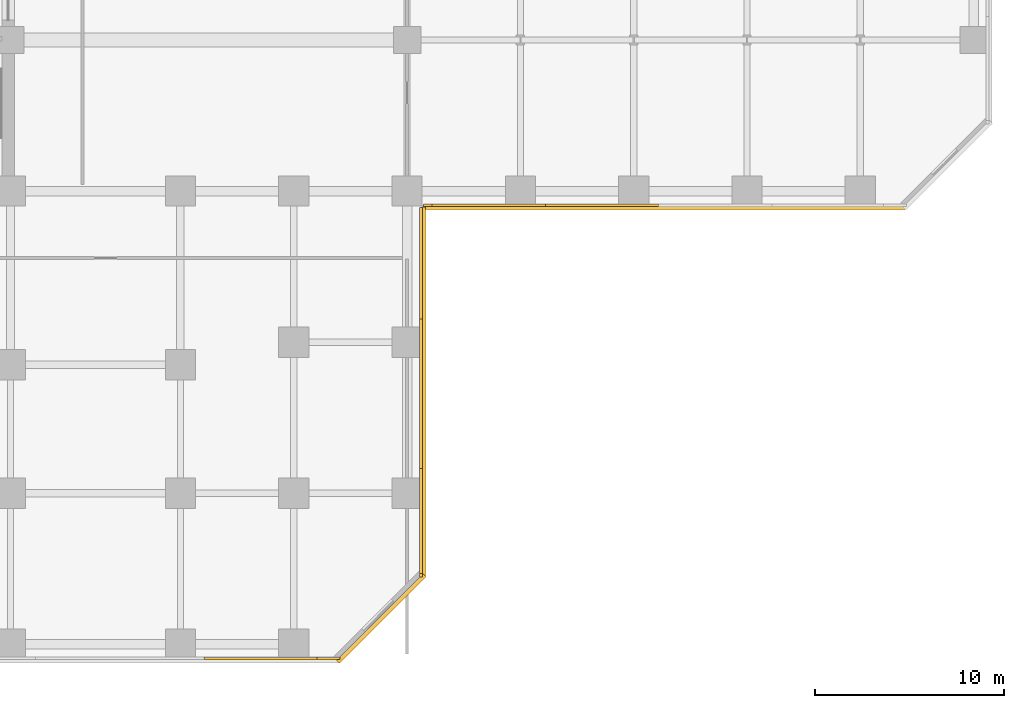
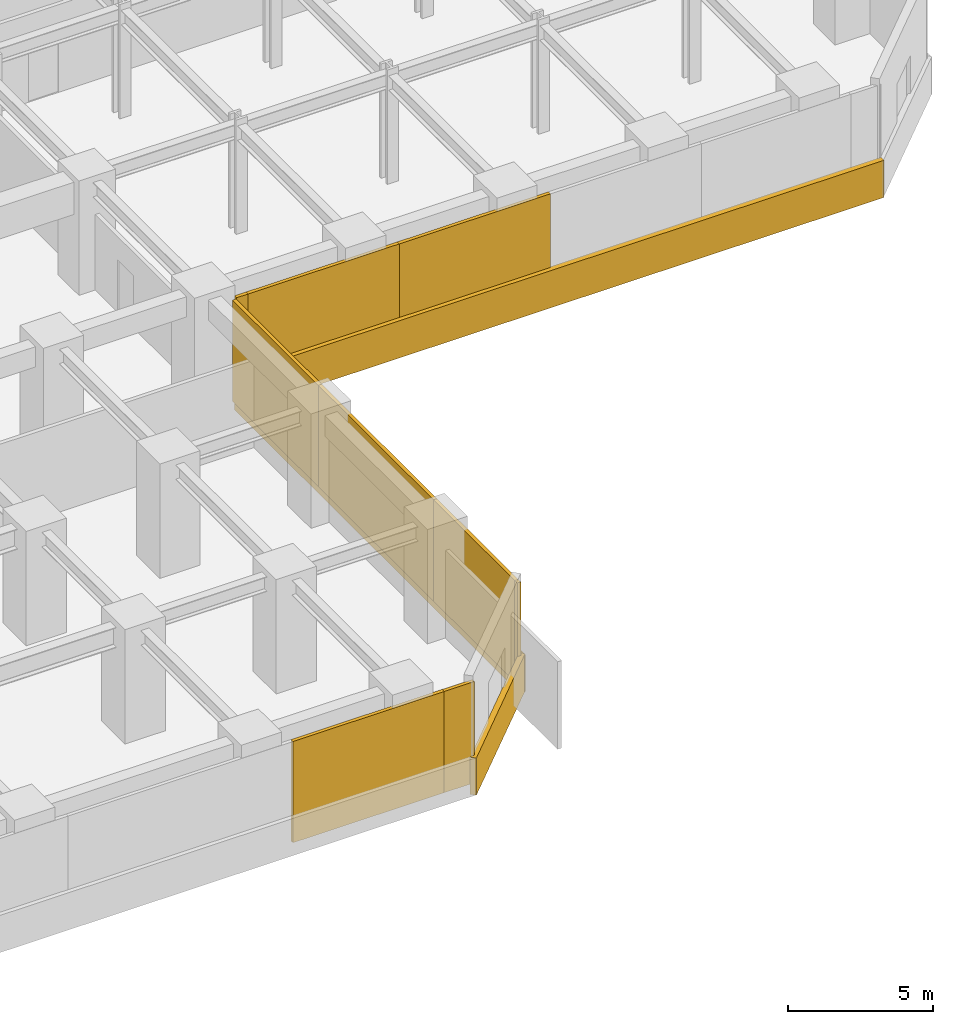
# One storey, part 10 of 12: 12 coverings.
"""IFC4 building model written with IfcOpenShell, lengths in metres."""

from ifc_helpers import new_model, si_unit, direction, frame, origin, origin_2d, place, context, subcontext, project, spatial, rectangle, extrude, source, transform, mapped, material, layer, layer_set, type_object, element, save


model = new_model("IFC4")

# Units and contexts
model_context = context("Model", 3, precision=1e-05, world=origin(), true_north=direction((0.0, 1.0)))
body_context = subcontext(model_context, "Body", "Model", "MODEL_VIEW")
ifc_project = project(units=[si_unit("LENGTHUNIT", "METRE"), si_unit("AREAUNIT", "SQUARE_METRE"), si_unit("VOLUMEUNIT", "CUBIC_METRE"), si_unit("PLANEANGLEUNIT", "RADIAN"), si_unit("MASSUNIT", "GRAM", prefix="KILO")], contexts=[model_context])

# Site, building, storey
site_placement = place(None, origin())
site = spatial("IfcSite", under=ifc_project, at=site_placement, CompositionType="ELEMENT")
building_placement = place(site_placement, origin())
building = spatial("IfcBuilding", under=site, at=building_placement, Name="Torre Montelarca", CompositionType="ELEMENT")
storey_placement = place(building_placement, frame((0.0, 0.0, 17.39990234375)))
storey = spatial("IfcBuildingStorey", under=building, at=storey_placement, Name="L04", CompositionType="ELEMENT", Elevation=17.39990234375)

# Coverings
ifc_material = material(Name="Bush-hammered warm white precast concrete C45/55", Category="concrete")
ifc_layer = layer(ifc_material, 0.139892578125, Name="Bush-hammered warm white precast concrete C45/55", Category="concrete")
ifc_layer_set = layer_set([ifc_layer], Name="Bush-hammered warm white precast concrete C45/55")
covering_type = type_object("IfcCoveringType", Name="COV-TRAY-CLAD", PredefinedType="CLADDING", material=ifc_layer_set)
shared_shape_1 = source(origin(), body_context, "Body", "SweptSolid", [
    extrude(rectangle(XDim=6.48388671875, YDim=0.219970703125, at=origin_2d()), origin(), (0.0, 0.0, 1.0), 1.56005859375),
])
covering_1_placement = place(storey_placement, frame((46.62890625, 1.37109375, -0.39990234375), z_axis=(0.0, 0.0, 1.0), x_axis=(0.707106781187, 0.707106781187, 0.0)))
element("IfcCovering", 1, at=covering_1_placement, inside=storey, type_object=covering_type, Name="L04 Architectural White Spandrel Tray Band PODBOT-02", PredefinedType="CLADDING", context=body_context, shape_type="MappedRepresentation", body=[
    mapped(shared_shape_1, transform((0.0, 0.0, 0.0), scale=1.0)),
])
shared_shape_2 = source(origin(), body_context, "Body", "SweptSolid", [
    extrude(rectangle(XDim=19.6201171875, YDim=0.219970703125, at=origin_2d()), origin(), (0.0, 0.0, 1.0), 1.56005859375),
])
covering_2_placement = place(storey_placement, frame((48.8701171875, 13.35009765625, -0.39990234375), z_axis=(0.0, 0.0, 1.0), x_axis=(0.0, 1.0, 0.0)))
element("IfcCovering", 2, at=covering_2_placement, inside=storey, type_object=covering_type, Name="L04 Architectural White Spandrel Tray Band PODBOT-03", PredefinedType="CLADDING", context=body_context, shape_type="MappedRepresentation", body=[
    mapped(shared_shape_2, transform((0.0, 0.0, 0.0), scale=1.0)),
])
shared_shape_3 = source(origin(), body_context, "Body", "SweptSolid", [
    extrude(rectangle(XDim=25.6201171875, YDim=0.219970703125, at=origin_2d()), origin(), (0.0, 0.0, 1.0), 1.56005859375),
])
covering_3_placement = place(storey_placement, frame((61.64990234375, 23.1298828125, -0.39990234375), z_axis=(0.0, 0.0, 1.0), x_axis=(1.0, 0.0, 0.0)))
element("IfcCovering", 3, at=covering_3_placement, inside=storey, type_object=covering_type, Name="L04 Architectural White Spandrel Tray Band PODBOT-04", PredefinedType="CLADDING", context=body_context, shape_type="MappedRepresentation", body=[
    mapped(shared_shape_3, transform((0.0, 0.0, 0.0), scale=1.0)),
])
shared_shape_4 = source(origin(), body_context, "Body", "SweptSolid", [
    extrude(rectangle(XDim=0.179931640625, YDim=0.139892578125, at=origin_2d()), origin(), (0.0, 0.0, 1.0), 4.25),
])
covering_4_placement = place(storey_placement, frame((48.739990234375, 3.64990234375, 0.0), z_axis=(0.0, 0.0, 1.0), x_axis=(0.0, 1.0, 0.0)))
element("IfcCovering", 4, at=covering_4_placement, inside=storey, type_object=covering_type, Name="L04 Architectural Column Pier Cladding E03-1", PredefinedType="CLADDING", context=body_context, shape_type="MappedRepresentation", body=[
    mapped(shared_shape_4, transform((0.0, 0.0, 0.0), scale=1.0)),
])
shared_shape_5 = source(origin(), body_context, "Body", "SweptSolid", [
    extrude(rectangle(XDim=6.080078125, YDim=0.139892578125, at=origin_2d()), origin(), (0.0, 0.0, 1.0), 4.25),
])
for number, where, z_axis, x_axis, name in (
    (5, (40.280029296875, -0.739990234375, 0.0), (0.0, 0.0, 1.0), (1.0, 0.0, 0.0), "L04 Architectural Column Pier Cladding E01-6"),
    (6, (52.280029296875, 23.260009765625, 0.0), (0.0, 0.0, 1.0), (1.0, 0.0, 0.0), "L04 Architectural Column Pier Cladding E04-2"),
    (7, (58.280029296875, 23.260009765625, 0.0), (0.0, 0.0, 1.0), (1.0, 0.0, 0.0), "L04 Architectural Column Pier Cladding E04-3"),
):
    element("IfcCovering", number, at=place(storey_placement, frame(where, z_axis=z_axis, x_axis=x_axis)), inside=storey, type_object=covering_type, Name=name, PredefinedType="CLADDING", context=body_context, shape_type="MappedRepresentation", body=[
        mapped(shared_shape_5, transform((0.0, 0.0, 0.0), scale=1.0)),
    ])
shared_shape_6 = source(origin(), body_context, "Body", "SweptSolid", [
    extrude(rectangle(XDim=1.199951171875, YDim=0.139892578125, at=origin_2d()), origin(), (0.0, 0.0, 1.0), 4.25),
])
covering_5_placement = place(storey_placement, frame((43.840087890625, -0.739990234375, 0.0), z_axis=(0.0, 0.0, 1.0), x_axis=(1.0, 0.0, 0.0)))
element("IfcCovering", 8, at=covering_5_placement, inside=storey, type_object=covering_type, Name="L04 Architectural Column Pier Cladding E01-7", PredefinedType="CLADDING", context=body_context, shape_type="MappedRepresentation", body=[
    mapped(shared_shape_6, transform((0.0, 0.0, 0.0), scale=1.0)),
])
shared_shape_7 = source(origin(), body_context, "Body", "SweptSolid", [
    extrude(rectangle(XDim=5.659912109375, YDim=0.139892578125, at=origin_2d()), origin(), (0.0, 0.0, 1.0), 4.25),
])
covering_6_placement = place(storey_placement, frame((48.739990234375, 6.489990234375, 0.0), z_axis=(0.0, 0.0, 1.0), x_axis=(0.0, 1.0, 0.0)))
element("IfcCovering", 9, at=covering_6_placement, inside=storey, type_object=covering_type, Name="L04 Architectural Column Pier Cladding E03-2", PredefinedType="CLADDING", context=body_context, shape_type="MappedRepresentation", body=[
    mapped(shared_shape_7, transform((0.0, 0.0, 0.0), scale=1.0)),
])
shared_shape_8 = source(origin(), body_context, "Body", "SweptSolid", [
    extrude(rectangle(XDim=8.080078125, YDim=0.139892578125, at=origin_2d()), origin(), (0.0, 0.0, 1.0), 4.25),
])
covering_7_placement = place(storey_placement, frame((48.739990234375, 13.280029296875, 0.0), z_axis=(0.0, 0.0, 1.0), x_axis=(0.0, 1.0, 0.0)))
element("IfcCovering", 10, at=covering_7_placement, inside=storey, type_object=covering_type, Name="L04 Architectural Column Pier Cladding E03-3", PredefinedType="CLADDING", context=body_context, shape_type="MappedRepresentation", body=[
    mapped(shared_shape_8, transform((0.0, 0.0, 0.0), scale=1.0)),
])
shared_shape_9 = source(origin(), body_context, "Body", "SweptSolid", [
    extrude(rectangle(XDim=5.89990234375, YDim=0.139892578125, at=origin_2d()), origin(), (0.0, 0.0, 1.0), 4.25),
])
covering_8_placement = place(storey_placement, frame((48.739990234375, 20.18994140625, 0.0), z_axis=(0.0, 0.0, 1.0), x_axis=(0.0, 1.0, 0.0)))
element("IfcCovering", 11, at=covering_8_placement, inside=storey, type_object=covering_type, Name="L04 Architectural Column Pier Cladding E03-4", PredefinedType="CLADDING", context=body_context, shape_type="MappedRepresentation", body=[
    mapped(shared_shape_9, transform((0.0, 0.0, 0.0), scale=1.0)),
])
shared_shape_10 = source(origin(), body_context, "Body", "SweptSolid", [
    extrude(rectangle(XDim=0.4599609375, YDim=0.139892578125, at=origin_2d()), origin(), (0.0, 0.0, 1.0), 4.25),
])
covering_9_placement = place(storey_placement, frame((49.090087890625, 23.260009765625, 0.0), z_axis=(0.0, 0.0, 1.0), x_axis=(1.0, 0.0, 0.0)))
element("IfcCovering", 12, at=covering_9_placement, inside=storey, type_object=covering_type, Name="L04 Architectural Column Pier Cladding E04-1", PredefinedType="CLADDING", context=body_context, shape_type="MappedRepresentation", body=[
    mapped(shared_shape_10, transform((0.0, 0.0, 0.0), scale=1.0)),
])

save(model, "model.ifc")
